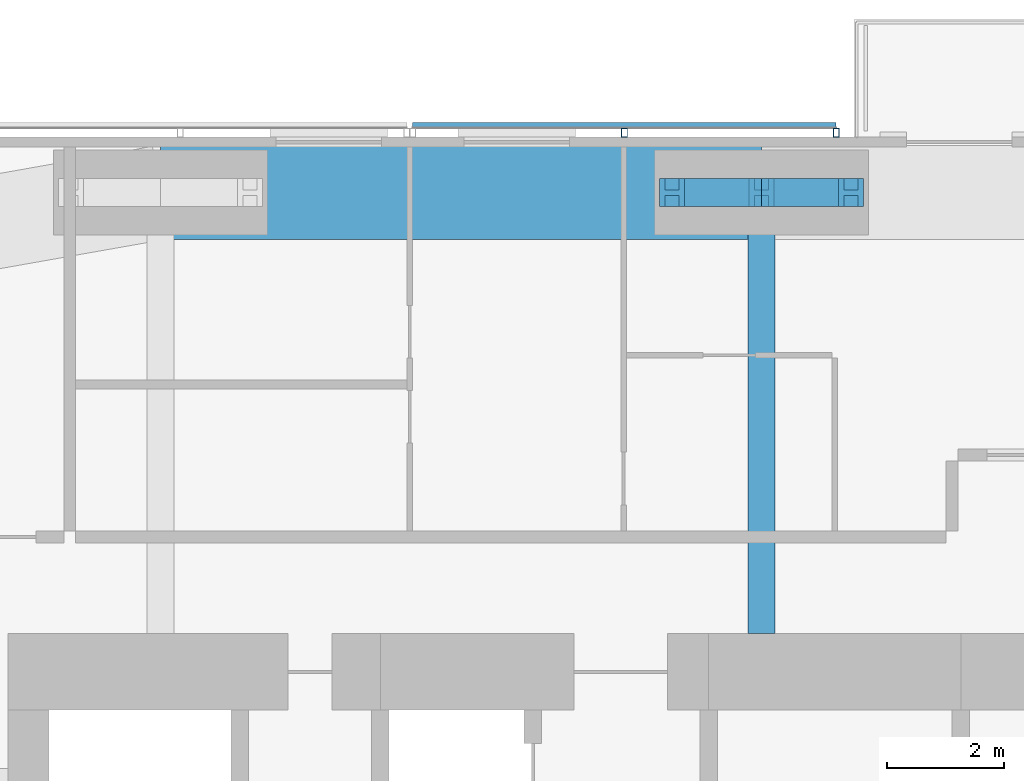
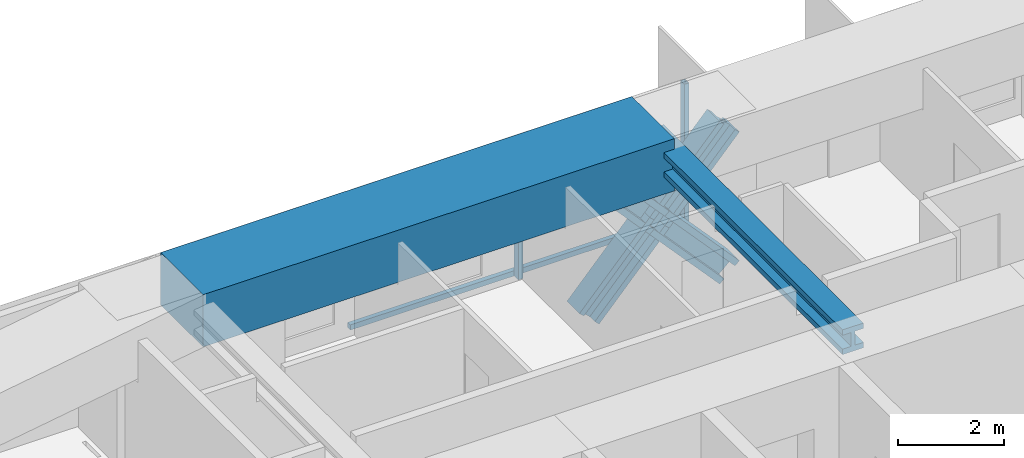
# One storey, part 12 of 23: 7 members, 2 beams, 1 element without a shape of its own.
"""IFC4 building model written with IfcOpenShell, lengths in metres."""

from ifc_helpers import new_model, si_unit, direction, frame, origin, origin_2d, place, context, subcontext, project, spatial, rectangle, hollow_rectangle, i_section, extrude, material, material_profile, profile_set, type_object, element, aggregate, save


model = new_model("IFC4")

# Units and contexts
model_context = context("Model", 3, precision=1e-05, world=origin(), true_north=direction((0.0, 1.0)))
body_context = subcontext(model_context, "Body", "Model", "MODEL_VIEW")
ifc_project = project(units=[si_unit("LENGTHUNIT", "METRE"), si_unit("AREAUNIT", "SQUARE_METRE"), si_unit("VOLUMEUNIT", "CUBIC_METRE"), si_unit("PLANEANGLEUNIT", "RADIAN"), si_unit("MASSUNIT", "GRAM", prefix="KILO")], contexts=[model_context])

# Site, building, storey
site_placement = place(None, origin())
site = spatial("IfcSite", under=ifc_project, at=site_placement, CompositionType="ELEMENT")
building_placement = place(site_placement, origin())
building = spatial("IfcBuilding", under=site, at=building_placement, Name="Jalousie Tower", CompositionType="ELEMENT")
storey_placement = place(building_placement, frame((0.0, 0.0, 181.14990234375)))
storey = spatial("IfcBuildingStorey", under=building, at=storey_placement, Name="L49", CompositionType="ELEMENT", Elevation=181.14990234375)

# Beam
ifc_material_1 = material(Name="Steel ASTM A992 Grade 50", Category="steel")
ifc_material_profile_1 = material_profile(ifc_material_1, i_section(OverallWidth=0.45458984375, OverallDepth=0.569091796875, WebThickness=0.077880859375, FlangeThickness=0.124755859375, at=origin_2d()), Name="W14X730")
ifc_profile_set_1 = profile_set([ifc_material_profile_1], Name="Steel ASTM A992 Grade 50")
beam_type_1 = type_object("IfcBeamType", Name="LEAN COLLECTOR W14X730", PredefinedType="BEAM", material=ifc_profile_set_1)
beam_1_placement = place(storey_placement, frame((32.5, 35.050048828125, 2.82568359375), z_axis=(0.0, -1.0, 0.0), x_axis=(1.0, 0.0, 0.0)))
element("IfcBeam", 1, at=beam_1_placement, inside=storey, type_object=beam_type_1, Name="Lean collector under L50", PredefinedType="BEAM", context=body_context, shape_type="SweptSolid", body=[
    extrude(i_section(OverallWidth=0.45458984375, OverallDepth=0.569091796875, WebThickness=0.077880859375, FlangeThickness=0.124755859375, at=origin_2d()), origin(), (0.0, 0.0, 1.0), 7.525146484375),
])

# Members
ifc_material_2 = material(Name="Steel ASTM A992 Grade 50", Category="steel")
ifc_material_profile_2 = material_profile(ifc_material_2, i_section(OverallWidth=0.472412109375, OverallDepth=0.5791015625, WebThickness=0.094970703125, FlangeThickness=0.1298828125, at=origin_2d()), Name="W14X808")
ifc_profile_set_2 = profile_set([ifc_material_profile_2], Name="Steel ASTM A992 Grade 50")
member_type_1 = type_object("IfcMemberType", Name="PERIMETER BRACE W14X808", PredefinedType="BRACE", material=ifc_profile_set_2)
for number, where, z_axis, x_axis, name in (
    (2, (30.97509765625, 35.050048828125, -0.599853515625), (0.673187629365, 0.0, 0.739471713908), (0.0, 1.0, 0.0), "Perimeter brace 10 L49 part 1"),
    (3, (32.5, 35.050048828125, 1.0751953125), (0.673241284601, 0.0, 0.739422864611), (0.0, 1.0, 0.0), "Perimeter brace 10 L49 part 2"),
    (4, (34.02490234375, 35.050048828125, -0.599853515625), (-0.673187629365, 0.0, 0.739471713908), (0.0, -1.0, 0.0), "Perimeter brace 10 L49 part 3"),
    (5, (32.5, 35.050048828125, 1.0751953125), (-0.673241284601, 0.0, 0.739422864611), (0.0, -1.0, 0.0), "Perimeter brace 10 L49 part 4"),
):
    element("IfcMember", number, at=place(storey_placement, frame(where, z_axis=z_axis, x_axis=x_axis)), inside=storey, type_object=member_type_1, Name=name, PredefinedType="BRACE", context=body_context, shape_type="SweptSolid", body=[
        extrude(i_section(OverallWidth=0.472412109375, OverallDepth=0.5791015625, WebThickness=0.094970703125, FlangeThickness=0.1298828125, at=origin_2d()), origin(), (0.0, 0.0, 1.0), 2.26513671875),
    ])

# Beam
ifc_material_3 = material(Name="Concrete f'c 40 MPa", Category="concrete")
ifc_material_profile_3 = material_profile(ifc_material_3, rectangle(XDim=1.60009765625, YDim=1.199951171875, at=origin_2d()), Name="RC 1600x1200")
ifc_profile_set_3 = profile_set([ifc_material_profile_3], Name="Concrete f'c 40 MPa")
beam_type_2 = type_object("IfcBeamType", Name="RC BEAM 1600x1200", PredefinedType="BEAM", material=ifc_profile_set_3)
beam_2_placement = place(storey_placement, frame((32.5, 35.050048828125, 2.75), z_axis=(-1.0, 0.0, 0.0), x_axis=(0.0, -1.0, 0.0)))
element("IfcBeam", 6, at=beam_2_placement, inside=storey, type_object=beam_type_2, Name="Edge band beam 10-11 under L50", PredefinedType="BEAM", context=body_context, shape_type="SweptSolid", body=[
    extrude(rectangle(XDim=1.60009765625, YDim=1.199951171875, at=origin_2d()), origin(), (0.0, 0.0, 1.0), 10.25),
])

# Curtain wall, members
ifc_material_4 = material(Name="Perforated aluminium sheet", Category="aluminium")
curtain_wall_type = type_object("IfcCurtainWallType", Name="SOLAR SCREEN SS-1", PredefinedType="USERDEFINED", material=ifc_material_4)
curtain_wall_placement = place(storey_placement, origin())
curtain_wall = element("IfcCurtainWall", 7, at=curtain_wall_placement, inside=storey, type_object=curtain_wall_type, Name="Solar screen L49", ObjectType="SOLAR SCREEN SS-1", PredefinedType="USERDEFINED")
ifc_material_5 = material(Name="Steel ASTM A500 Grade C", Category="steel")
ifc_material_profile_4 = material_profile(ifc_material_5, hollow_rectangle(XDim=0.1015625, YDim=0.15234375, WallThickness=0.00634765625, at=origin_2d()), Name="HSS6X4X1/4")
ifc_profile_set_4 = profile_set([ifc_material_profile_4], Name="Steel ASTM A500 Grade C")
member_type_2 = type_object("IfcMemberType", Name="SOLAR SCREEN SS-1 MULLION", PredefinedType="MULLION", material=ifc_profile_set_4)
member_1_placement = place(storey_placement, frame((33.77490234375, 36.0712890625, -0.119873046875), z_axis=(0.0, 0.0, 1.0), x_axis=(-1.0, 0.0, 0.0)))
member_1 = element("IfcMember", 8, at=member_1_placement, type_object=member_type_2, Name="SS1 post 1", PredefinedType="MULLION", context=body_context, shape_type="SweptSolid", body=[
    extrude(hollow_rectangle(XDim=0.1015625, YDim=0.15234375, WallThickness=0.00634765625, at=origin_2d()), origin(), (0.0, 0.0, 1.0), 3.22998046875),
])
member_2_placement = place(storey_placement, frame((30.16259765625, 36.0712890625, -0.119873046875), z_axis=(0.0, 0.0, 1.0), x_axis=(-1.0, 0.0, 0.0)))
member_2 = element("IfcMember", 9, at=member_2_placement, type_object=member_type_2, Name="SS1 post 2", PredefinedType="MULLION", context=body_context, shape_type="SweptSolid", body=[
    extrude(hollow_rectangle(XDim=0.1015625, YDim=0.15234375, WallThickness=0.00634765625, at=origin_2d()), origin(), (0.0, 0.0, 1.0), 3.22998046875),
])
ifc_material_6 = material(Name="Extruded aluminium screen rail", Category="aluminium")
ifc_material_profile_5 = material_profile(ifc_material_6, rectangle(XDim=0.1015625, YDim=0.1201171875, at=origin_2d()), Name="RAIL 102x120")
ifc_profile_set_5 = profile_set([ifc_material_profile_5], Name="Extruded aluminium screen rail")
member_type_3 = type_object("IfcMemberType", Name="SOLAR SCREEN SS-1 TRANSOM", PredefinedType="USERDEFINED", material=ifc_profile_set_5)
member_3_placement = place(storey_placement, frame((33.77490234375, 36.1982421875, -0.059814453125), z_axis=(-1.0, 0.0, 0.0), x_axis=(0.0, -1.0, 0.0)))
member_3 = element("IfcMember", 10, at=member_3_placement, type_object=member_type_3, Name="SS1 rail", ObjectType="TRANSOM", PredefinedType="USERDEFINED", context=body_context, shape_type="SweptSolid", body=[
    extrude(rectangle(XDim=0.1015625, YDim=0.1201171875, at=origin_2d()), origin(), (0.0, 0.0, 1.0), 7.224853515625),
])
aggregate(curtain_wall, [member_1, member_2, member_3])

save(model, "model.ifc")
